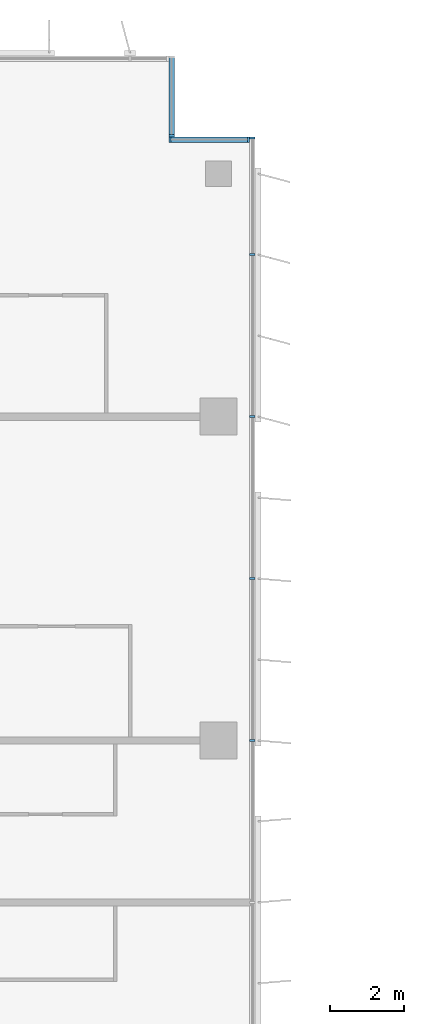
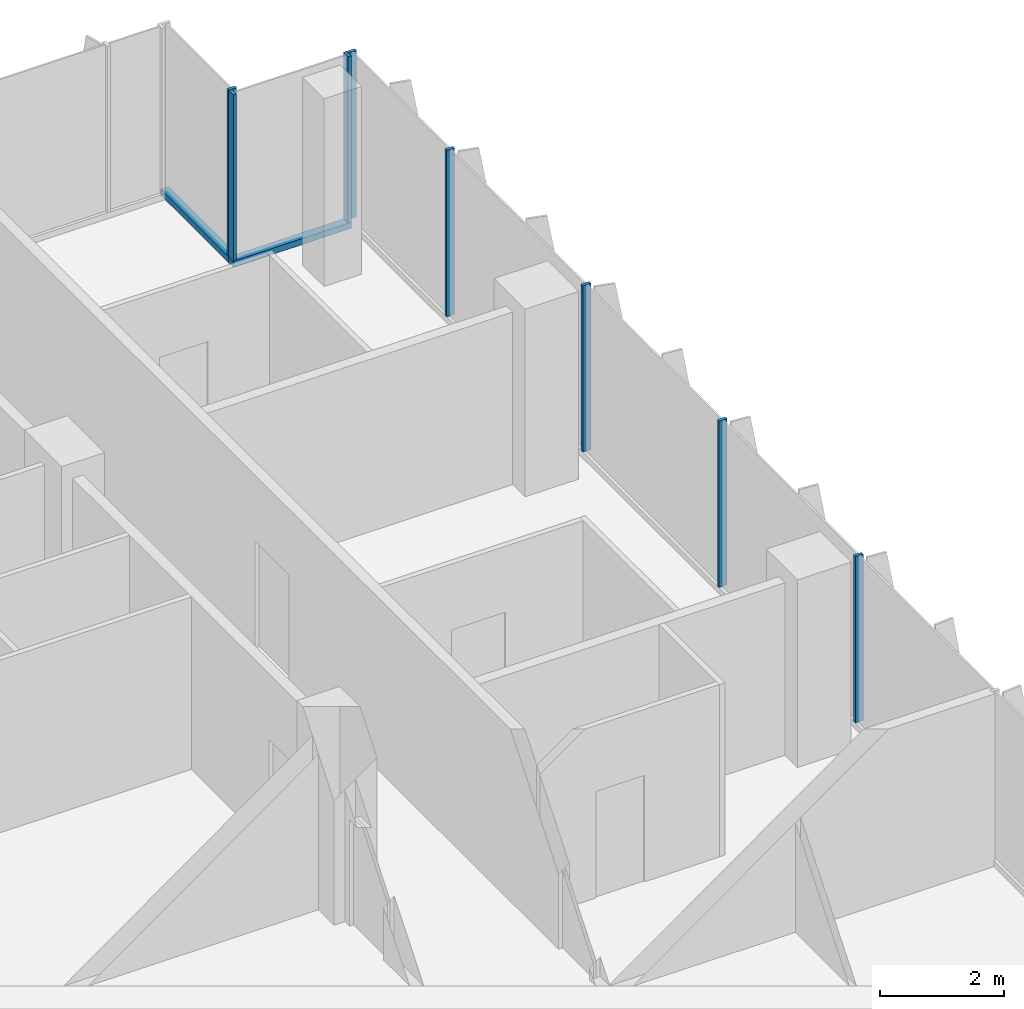
# One storey, part 7 of 21: 10 members, 3 elements without a shape of their own.
"""IFC4 building model written with IfcOpenShell, lengths in metres."""

from ifc_helpers import new_model, si_unit, direction, frame, origin, origin_2d, place, context, subcontext, project, spatial, rectangle, extrude, source, transform, mapped, material, material_profile, profile_set, type_object, element, aggregate, save


model = new_model("IFC4")

# Units and contexts
model_context = context("Model", 3, precision=1e-05, world=origin(), true_north=direction((0.0, 1.0)))
body_context = subcontext(model_context, "Body", "Model", "MODEL_VIEW")
ifc_project = project(units=[si_unit("LENGTHUNIT", "METRE"), si_unit("AREAUNIT", "SQUARE_METRE"), si_unit("VOLUMEUNIT", "CUBIC_METRE"), si_unit("PLANEANGLEUNIT", "RADIAN"), si_unit("MASSUNIT", "GRAM", prefix="KILO")], contexts=[model_context])

# Site, building, storey
site_placement = place(None, origin())
site = spatial("IfcSite", under=ifc_project, at=site_placement, CompositionType="ELEMENT")
building_placement = place(site_placement, origin())
building = spatial("IfcBuilding", under=site, at=building_placement, Name="Kemantara Hotel Tower", CompositionType="ELEMENT")
storey_placement = place(building_placement, frame((0.0, 0.0, 167.89990234375)))
storey = spatial("IfcBuildingStorey", under=building, at=storey_placement, Name="L41", CompositionType="ELEMENT", Elevation=167.89990234375)

# Curtain wall, member
ifc_material_1 = material(Name="Low-E tinted double insulated glass 36 mm", Category="glass")
curtain_wall_type = type_object("IfcCurtainWallType", Name="TOWER CURTAIN WALL, FRONT FACES", PredefinedType="USERDEFINED", material=ifc_material_1)
curtain_wall_1_placement = place(storey_placement, origin())
curtain_wall_1 = element("IfcCurtainWall", 1, at=curtain_wall_1_placement, inside=storey, type_object=curtain_wall_type, Name="CW4 L41 T3-R00-1", ObjectType="TOWER CURTAIN WALL, FRONT FACES", PredefinedType="USERDEFINED")
ifc_material_2 = material(Name="Aluminium 6063-T6 bronze anodised", Category="aluminium")
ifc_material_profile_1 = material_profile(ifc_material_2, rectangle(XDim=0.14990234375, YDim=0.1201171875, at=origin_2d()), Name="TOWER CURTAIN WALL, FRONT FACES TRANSOM")
ifc_profile_set_1 = profile_set([ifc_material_profile_1], Name="Aluminium 6063-T6 bronze anodised")
member_type_1 = type_object("IfcMemberType", Name="TOWER CURTAIN WALL, FRONT FACES TRANSOM", PredefinedType="USERDEFINED", material=ifc_profile_set_1)
member_1_placement = place(storey_placement, frame((21.85009765625, 61.324951171875, 0.06005859375), z_axis=(-1.0, 0.0, 0.0), x_axis=(0.0, -1.0, 0.0)))
member_1 = element("IfcMember", 2, at=member_1_placement, type_object=member_type_1, Name="CW4 sill transom T3-R00-1", ObjectType="TRANSOM", PredefinedType="USERDEFINED", context=body_context, shape_type="SweptSolid", body=[
    extrude(rectangle(XDim=0.14990234375, YDim=0.1201171875, at=origin_2d()), origin(), (0.0, 0.0, 1.0), 2.2001953125),
])

curtain_wall_2_placement = place(storey_placement, origin())
curtain_wall_2 = element("IfcCurtainWall", 3, at=curtain_wall_2_placement, inside=storey, type_object=curtain_wall_type, Name="CW4 L41 T3-R01-1", ObjectType="TOWER CURTAIN WALL, FRONT FACES", PredefinedType="USERDEFINED")
member_2_placement = place(storey_placement, frame((19.72509765625, 61.39990234375, 0.06005859375), z_axis=(0.0, 1.0, 0.0), x_axis=(-1.0, 0.0, 0.0)))
member_2 = element("IfcMember", 4, at=member_2_placement, type_object=member_type_1, Name="CW4 sill transom T3-R01-1", ObjectType="TRANSOM", PredefinedType="USERDEFINED", context=body_context, shape_type="SweptSolid", body=[
    extrude(rectangle(XDim=0.14990234375, YDim=0.1201171875, at=origin_2d()), origin(), (0.0, 0.0, 1.0), 2.2001953125),
])

# Curtain wall, members
curtain_wall_3_placement = place(storey_placement, origin())
curtain_wall_3 = element("IfcCurtainWall", 5, at=curtain_wall_3_placement, inside=storey, type_object=curtain_wall_type, Name="CW4 L41 T3-R17-1", ObjectType="TOWER CURTAIN WALL, FRONT FACES", PredefinedType="USERDEFINED")
ifc_material_profile_2 = material_profile(ifc_material_2, rectangle(XDim=0.14990234375, YDim=0.06005859375, at=origin_2d()), Name="TOWER CURTAIN WALL, FRONT FACES MULLION")
ifc_profile_set_2 = profile_set([ifc_material_profile_2], Name="Aluminium 6063-T6 bronze anodised")
member_type_2 = type_object("IfcMemberType", Name="TOWER CURTAIN WALL, FRONT FACES MULLION", PredefinedType="MULLION", material=ifc_profile_set_2)
shared_shape = source(origin(), body_context, "Body", "SweptSolid", [
    extrude(rectangle(XDim=0.14990234375, YDim=0.06005859375, at=origin_2d()), origin(), (0.0, 0.0, 1.0), 3.280029296875),
])
member_3_placement = place(storey_placement, frame((21.925048828125, 45.0, 0.1201171875), z_axis=(0.0, 0.0, 1.0), x_axis=(-1.0, 0.0, 0.0)))
member_3 = element("IfcMember", 6, at=member_3_placement, type_object=member_type_2, Name="CW4 mullion T3-R17-1.6", PredefinedType="MULLION", context=body_context, shape_type="MappedRepresentation", body=[
    mapped(shared_shape, transform((0.0, 0.0, 0.0))),
])
member_4_placement = place(storey_placement, frame((21.925048828125, 49.39990234375, 0.1201171875), z_axis=(0.0, 0.0, 1.0), x_axis=(-1.0, 0.0, 0.0)))
member_4 = element("IfcMember", 7, at=member_4_placement, type_object=member_type_2, Name="CW4 mullion T3-R17-1.7", PredefinedType="MULLION", context=body_context, shape_type="MappedRepresentation", body=[
    mapped(shared_shape, transform((0.0, 0.0, 0.0))),
])
member_5_placement = place(storey_placement, frame((21.925048828125, 53.800048828125, 0.1201171875), z_axis=(0.0, 0.0, 1.0), x_axis=(-1.0, 0.0, 0.0)))
member_5 = element("IfcMember", 8, at=member_5_placement, type_object=member_type_2, Name="CW4 mullion T3-R17-1.8", PredefinedType="MULLION", context=body_context, shape_type="MappedRepresentation", body=[
    mapped(shared_shape, transform((0.0, 0.0, 0.0))),
])
member_6_placement = place(storey_placement, frame((21.925048828125, 58.199951171875, 0.1201171875), z_axis=(0.0, 0.0, 1.0), x_axis=(-1.0, 0.0, 0.0)))
member_6 = element("IfcMember", 9, at=member_6_placement, type_object=member_type_2, Name="CW4 mullion T3-R17-1.9", PredefinedType="MULLION", context=body_context, shape_type="MappedRepresentation", body=[
    mapped(shared_shape, transform((0.0, 0.0, 0.0))),
])
member_7_placement = place(storey_placement, frame((21.925048828125, 61.3701171875, 0.1201171875), z_axis=(0.0, 0.0, 1.0), x_axis=(-1.0, 0.0, 0.0)))
member_7 = element("IfcMember", 10, at=member_7_placement, type_object=member_type_2, Name="CW4 mullion T3-R17-1.10", PredefinedType="MULLION", context=body_context, shape_type="MappedRepresentation", body=[
    mapped(shared_shape, transform((0.0, 0.0, 0.0))),
])
aggregate(curtain_wall_3, [member_3, member_4, member_5, member_6, member_7])

# Member
member_8_placement = place(storey_placement, frame((21.820068359375, 61.324951171875, 0.1201171875), z_axis=(0.0, 0.0, 1.0), x_axis=(0.0, -1.0, 0.0)))
member_8 = element("IfcMember", 11, at=member_8_placement, type_object=member_type_2, Name="CW4 mullion T3-R00-1.1", PredefinedType="MULLION", context=body_context, shape_type="MappedRepresentation", body=[
    mapped(shared_shape, transform((0.0, 0.0, 0.0))),
])

member_9_placement = place(storey_placement, frame((19.679931640625, 61.324951171875, 0.1201171875), z_axis=(0.0, 0.0, 1.0), x_axis=(0.0, -1.0, 0.0)))
member_9 = element("IfcMember", 12, at=member_9_placement, type_object=member_type_2, Name="CW4 mullion T3-R00-1.2", PredefinedType="MULLION", context=body_context, shape_type="MappedRepresentation", body=[
    mapped(shared_shape, transform((0.0, 0.0, 0.0))),
])

aggregate(curtain_wall_1, [member_1, member_8, member_9])

member_10_placement = place(storey_placement, frame((19.72509765625, 61.429931640625, 0.1201171875), z_axis=(0.0, 0.0, 1.0), x_axis=(-1.0, 0.0, 0.0)))
member_10 = element("IfcMember", 13, at=member_10_placement, type_object=member_type_2, Name="CW4 mullion T3-R01-1.1", PredefinedType="MULLION", context=body_context, shape_type="MappedRepresentation", body=[
    mapped(shared_shape, transform((0.0, 0.0, 0.0))),
])

aggregate(curtain_wall_2, [member_2, member_10])

save(model, "model.ifc")
